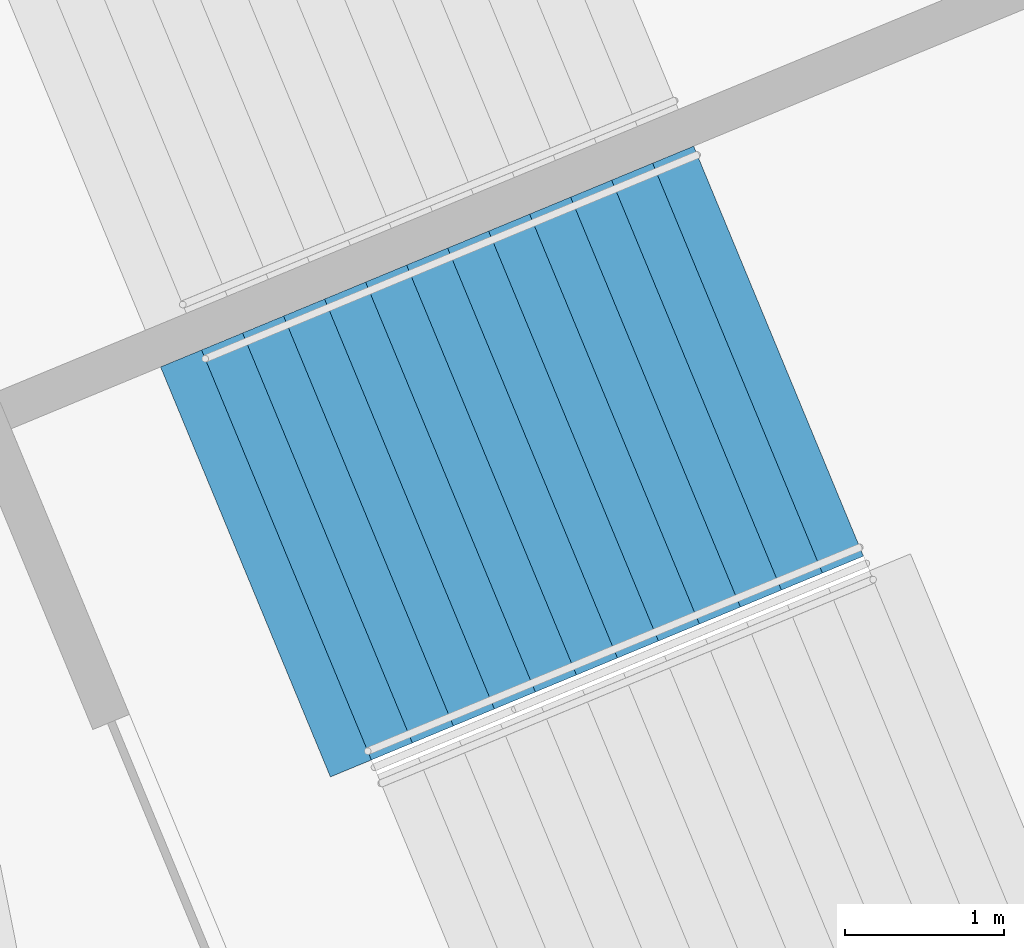
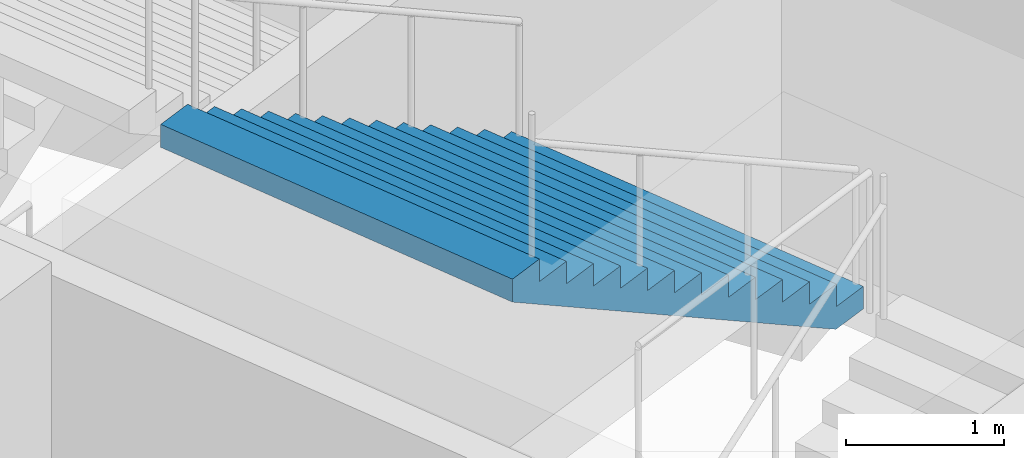
# One storey, part 175 of 199: 1 stair flight, 1 element without a shape of its own.
"""IFC4 building model written with IfcOpenShell, lengths in metres."""

from ifc_helpers import new_model, si_unit, direction, frame, origin, place, context, subcontext, project, spatial, faceted_brep, material, type_object, element, aggregate, save


model = new_model("IFC4")

# Units and contexts
model_context = context("Model", 3, precision=1e-05, world=origin(), true_north=direction((0.0, 1.0)))
body_context = subcontext(model_context, "Body", "Model", "MODEL_VIEW")
ifc_project = project(units=[si_unit("LENGTHUNIT", "METRE"), si_unit("AREAUNIT", "SQUARE_METRE"), si_unit("VOLUMEUNIT", "CUBIC_METRE"), si_unit("PLANEANGLEUNIT", "RADIAN"), si_unit("MASSUNIT", "GRAM", prefix="KILO")], contexts=[model_context])

# Site, building, storey
site_placement = place(None, origin())
site = spatial("IfcSite", under=ifc_project, at=site_placement, CompositionType="ELEMENT")
building_placement = place(site_placement, origin())
building = spatial("IfcBuilding", under=site, at=building_placement, Name="Ogive Plaza Stadium", CompositionType="ELEMENT")
storey_placement = place(building_placement, frame((0.0, 0.0, 9.0)))
storey = spatial("IfcBuildingStorey", under=building, at=storey_placement, Name="L02", CompositionType="ELEMENT", Elevation=9.0)

# Stair, stair flight
ifc_material_1 = material(Name="Concrete C40/50", Category="concrete")
stair_type = type_object("IfcStairType", Name="Exit stair", PredefinedType="STRAIGHT_RUN_STAIR", material=ifc_material_1)
stair_placement = place(storey_placement, origin())
stair = element("IfcStair", 1, at=stair_placement, inside=storey, type_object=stair_type, Name="Exit stair ST40A L02 to L03", PredefinedType="STRAIGHT_RUN_STAIR")
ifc_material_2 = material(Name="Concrete C40/50", Category="concrete")
stair_flight_type = type_object("IfcStairFlightType", Name="Exit stair flight", PredefinedType="STRAIGHT", material=ifc_material_2)
stair_flight_placement = place(storey_placement, frame((76.814208984375, 68.58349609375, 2.25), z_axis=(0.0, 0.0, 1.0), x_axis=(-0.923879532511, -0.382683432365, 0.0)))
stair_flight = element("IfcStairFlight", 2, at=stair_flight_placement, type_object=stair_flight_type, Name="ST40A flight 2", NumberOfRisers=13, NumberOfTreads=12, PredefinedType="STRAIGHT", RiserHeight=0.173076923, TreadLength=0.28, context=body_context, shape_type="Brep", body=[
    faceted_brep([(0.28515625, -1.39990234375, 0.0), (3.639892578125, -1.39990234375, 2.07373046875), (3.639892578125, -1.39990234375, 2.25), (3.360107421875, -1.39990234375, 2.25), (3.360107421875, -1.39990234375, 2.076904296875), (3.080078125, -1.39990234375, 2.076904296875), (3.080078125, -1.39990234375, 1.90380859375), (2.800048828125, -1.39990234375, 1.90380859375), (2.800048828125, -1.39990234375, 1.730712890625), (2.52001953125, -1.39990234375, 1.730712890625), (2.52001953125, -1.39990234375, 1.5576171875), (2.239990234375, -1.39990234375, 1.5576171875), (2.239990234375, -1.39990234375, 1.384521484375), (1.9599609375, -1.39990234375, 1.384521484375), (1.9599609375, -1.39990234375, 1.21142578125), (1.679931640625, -1.39990234375, 1.21142578125), (1.679931640625, -1.39990234375, 1.03857421875), (1.39990234375, -1.39990234375, 1.03857421875), (1.39990234375, -1.39990234375, 0.865478515625), (1.1201171875, -1.39990234375, 0.865478515625), (1.1201171875, -1.39990234375, 0.6923828125), (0.840087890625, -1.39990234375, 0.6923828125), (0.840087890625, -1.39990234375, 0.519287109375), (0.56005859375, -1.39990234375, 0.519287109375), (0.56005859375, -1.39990234375, 0.34619140625), (0.280029296875, -1.39990234375, 0.34619140625), (0.280029296875, -1.39990234375, 0.173095703125), (0.0, -1.39990234375, 0.173095703125), (0.0, -1.39990234375, 0.0), (0.0, 1.39990234375, 0.0), (0.0, 1.39990234375, 0.173095703125), (0.280029296875, 1.39990234375, 0.173095703125), (0.280029296875, 1.39990234375, 0.34619140625), (0.56005859375, 1.39990234375, 0.34619140625), (0.56005859375, 1.39990234375, 0.519287109375), (0.840087890625, 1.39990234375, 0.519287109375), (0.840087890625, 1.39990234375, 0.6923828125), (1.1201171875, 1.39990234375, 0.6923828125), (1.1201171875, 1.39990234375, 0.865478515625), (1.39990234375, 1.39990234375, 0.865478515625), (1.39990234375, 1.39990234375, 1.03857421875), (1.679931640625, 1.39990234375, 1.03857421875), (1.679931640625, 1.39990234375, 1.21142578125), (1.9599609375, 1.39990234375, 1.21142578125), (1.9599609375, 1.39990234375, 1.384521484375), (2.239990234375, 1.39990234375, 1.384521484375), (2.239990234375, 1.39990234375, 1.5576171875), (2.52001953125, 1.39990234375, 1.5576171875), (2.52001953125, 1.39990234375, 1.730712890625), (2.800048828125, 1.39990234375, 1.730712890625), (2.800048828125, 1.39990234375, 1.90380859375), (3.080078125, 1.39990234375, 1.90380859375), (3.080078125, 1.39990234375, 2.076904296875), (3.360107421875, 1.39990234375, 2.076904296875), (3.360107421875, 1.39990234375, 2.25), (3.639892578125, 1.39990234375, 2.25), (3.639892578125, 1.39990234375, 2.07373046875), (0.28515625, 1.39990234375, 0.0), (0.28515625, -1.0888671875, 0.0), (3.639892578125, -1.0888671875, 2.07373046875), (0.28515625, -0.77783203125, 0.0), (3.639892578125, -0.77783203125, 2.07373046875), (0.28515625, -0.466796875, 0.0), (3.639892578125, -0.466796875, 2.07373046875), (0.28515625, -0.155517578125, 0.0), (3.639892578125, -0.155517578125, 2.07373046875), (0.28515625, 0.155517578125, 0.0), (3.639892578125, 0.155517578125, 2.07373046875), (0.28515625, 0.466796875, 0.0), (3.639892578125, 0.466796875, 2.07373046875), (0.28515625, 0.77783203125, 0.0), (3.639892578125, 0.77783203125, 2.07373046875), (0.28515625, 1.0888671875, 0.0), (3.639892578125, 1.0888671875, 2.07373046875), (3.639892578125, -1.0888671875, 2.25), (3.639892578125, -0.77783203125, 2.25), (3.639892578125, -0.466796875, 2.25), (3.639892578125, -0.155517578125, 2.25), (3.639892578125, 0.155517578125, 2.25), (3.639892578125, 0.466796875, 2.25), (3.639892578125, 0.77783203125, 2.25), (3.639892578125, 1.0888671875, 2.25), (3.360107421875, -1.0888671875, 2.25), (3.360107421875, -0.77783203125, 2.25), (3.360107421875, -0.466796875, 2.25), (3.360107421875, -0.155517578125, 2.25), (3.360107421875, 0.155517578125, 2.25), (3.360107421875, 0.466796875, 2.25), (3.360107421875, 0.77783203125, 2.25), (3.360107421875, 1.0888671875, 2.25), (3.360107421875, -1.0888671875, 2.076904296875), (3.360107421875, -0.77783203125, 2.076904296875), (3.360107421875, -0.466796875, 2.076904296875), (3.360107421875, -0.155517578125, 2.076904296875), (3.360107421875, 0.155517578125, 2.076904296875), (3.360107421875, 0.466796875, 2.076904296875), (3.360107421875, 0.77783203125, 2.076904296875), (3.360107421875, 1.0888671875, 2.076904296875), (3.080078125, -1.0888671875, 2.076904296875), (3.080078125, -0.77783203125, 2.076904296875), (3.080078125, -0.466796875, 2.076904296875), (3.080078125, -0.155517578125, 2.076904296875), (3.080078125, 0.155517578125, 2.076904296875), (3.080078125, 0.466796875, 2.076904296875), (3.080078125, 0.77783203125, 2.076904296875), (3.080078125, 1.0888671875, 2.076904296875), (3.080078125, -1.0888671875, 1.90380859375), (3.080078125, -0.77783203125, 1.90380859375), (3.080078125, -0.466796875, 1.90380859375), (3.080078125, -0.155517578125, 1.90380859375), (3.080078125, 0.155517578125, 1.90380859375), (3.080078125, 0.466796875, 1.90380859375), (3.080078125, 0.77783203125, 1.90380859375), (3.080078125, 1.0888671875, 1.90380859375), (2.800048828125, -1.0888671875, 1.90380859375), (2.800048828125, -0.77783203125, 1.90380859375), (2.800048828125, -0.466796875, 1.90380859375), (2.800048828125, -0.155517578125, 1.90380859375), (2.800048828125, 0.155517578125, 1.90380859375), (2.800048828125, 0.466796875, 1.90380859375), (2.800048828125, 0.77783203125, 1.90380859375), (2.800048828125, 1.0888671875, 1.90380859375), (2.800048828125, -1.0888671875, 1.730712890625), (2.800048828125, -0.77783203125, 1.730712890625), (2.800048828125, -0.466796875, 1.730712890625), (2.800048828125, -0.155517578125, 1.730712890625), (2.800048828125, 0.155517578125, 1.730712890625), (2.800048828125, 0.466796875, 1.730712890625), (2.800048828125, 0.77783203125, 1.730712890625), (2.800048828125, 1.0888671875, 1.730712890625), (2.52001953125, -1.0888671875, 1.730712890625), (2.52001953125, -0.77783203125, 1.730712890625), (2.52001953125, -0.466796875, 1.730712890625), (2.52001953125, -0.155517578125, 1.730712890625), (2.52001953125, 0.155517578125, 1.730712890625), (2.52001953125, 0.466796875, 1.730712890625), (2.52001953125, 0.77783203125, 1.730712890625), (2.52001953125, 1.0888671875, 1.730712890625), (2.52001953125, -1.0888671875, 1.5576171875), (2.52001953125, -0.77783203125, 1.5576171875), (2.52001953125, -0.466796875, 1.5576171875), (2.52001953125, -0.155517578125, 1.5576171875), (2.52001953125, 0.155517578125, 1.5576171875), (2.52001953125, 0.466796875, 1.5576171875), (2.52001953125, 0.77783203125, 1.5576171875), (2.52001953125, 1.0888671875, 1.5576171875), (2.239990234375, -1.0888671875, 1.5576171875), (2.239990234375, -0.77783203125, 1.5576171875), (2.239990234375, -0.466796875, 1.5576171875), (2.239990234375, -0.155517578125, 1.5576171875), (2.239990234375, 0.155517578125, 1.5576171875), (2.239990234375, 0.466796875, 1.5576171875), (2.239990234375, 0.77783203125, 1.5576171875), (2.239990234375, 1.0888671875, 1.5576171875), (2.239990234375, -1.0888671875, 1.384521484375), (2.239990234375, -0.77783203125, 1.384521484375), (2.239990234375, -0.466796875, 1.384521484375), (2.239990234375, -0.155517578125, 1.384521484375), (2.239990234375, 0.155517578125, 1.384521484375), (2.239990234375, 0.466796875, 1.384521484375), (2.239990234375, 0.77783203125, 1.384521484375), (2.239990234375, 1.0888671875, 1.384521484375), (1.9599609375, -1.0888671875, 1.384521484375), (1.9599609375, -0.77783203125, 1.384521484375), (1.9599609375, -0.466796875, 1.384521484375), (1.9599609375, -0.155517578125, 1.384521484375), (1.9599609375, 0.155517578125, 1.384521484375), (1.9599609375, 0.466796875, 1.384521484375), (1.9599609375, 0.77783203125, 1.384521484375), (1.9599609375, 1.0888671875, 1.384521484375), (1.9599609375, -1.0888671875, 1.21142578125), (1.9599609375, -0.77783203125, 1.21142578125), (1.9599609375, -0.466796875, 1.21142578125), (1.9599609375, -0.155517578125, 1.21142578125), (1.9599609375, 0.155517578125, 1.21142578125), (1.9599609375, 0.466796875, 1.21142578125), (1.9599609375, 0.77783203125, 1.21142578125), (1.9599609375, 1.0888671875, 1.21142578125), (1.679931640625, -1.0888671875, 1.21142578125), (1.679931640625, -0.77783203125, 1.21142578125), (1.679931640625, -0.466796875, 1.21142578125), (1.679931640625, -0.155517578125, 1.21142578125), (1.679931640625, 0.155517578125, 1.21142578125), (1.679931640625, 0.466796875, 1.21142578125), (1.679931640625, 0.77783203125, 1.21142578125), (1.679931640625, 1.0888671875, 1.21142578125), (1.679931640625, -1.0888671875, 1.03857421875), (1.679931640625, -0.77783203125, 1.03857421875), (1.679931640625, -0.466796875, 1.03857421875), (1.679931640625, -0.155517578125, 1.03857421875), (1.679931640625, 0.155517578125, 1.03857421875), (1.679931640625, 0.466796875, 1.03857421875), (1.679931640625, 0.77783203125, 1.03857421875), (1.679931640625, 1.0888671875, 1.03857421875), (1.39990234375, -1.0888671875, 1.03857421875), (1.39990234375, -0.77783203125, 1.03857421875), (1.39990234375, -0.466796875, 1.03857421875), (1.39990234375, -0.155517578125, 1.03857421875), (1.39990234375, 0.155517578125, 1.03857421875), (1.39990234375, 0.466796875, 1.03857421875), (1.39990234375, 0.77783203125, 1.03857421875), (1.39990234375, 1.0888671875, 1.03857421875), (1.39990234375, -1.0888671875, 0.865478515625), (1.39990234375, -0.77783203125, 0.865478515625), (1.39990234375, -0.466796875, 0.865478515625), (1.39990234375, -0.155517578125, 0.865478515625), (1.39990234375, 0.155517578125, 0.865478515625), (1.39990234375, 0.466796875, 0.865478515625), (1.39990234375, 0.77783203125, 0.865478515625), (1.39990234375, 1.0888671875, 0.865478515625), (1.1201171875, -1.0888671875, 0.865478515625), (1.1201171875, -0.77783203125, 0.865478515625), (1.1201171875, -0.466796875, 0.865478515625), (1.1201171875, -0.155517578125, 0.865478515625), (1.1201171875, 0.155517578125, 0.865478515625), (1.1201171875, 0.466796875, 0.865478515625), (1.1201171875, 0.77783203125, 0.865478515625), (1.1201171875, 1.0888671875, 0.865478515625), (1.1201171875, -1.0888671875, 0.6923828125), (1.1201171875, -0.77783203125, 0.6923828125), (1.1201171875, -0.466796875, 0.6923828125), (1.1201171875, -0.155517578125, 0.6923828125), (1.1201171875, 0.155517578125, 0.6923828125), (1.1201171875, 0.466796875, 0.6923828125), (1.1201171875, 0.77783203125, 0.6923828125), (1.1201171875, 1.0888671875, 0.6923828125), (0.840087890625, -1.0888671875, 0.6923828125), (0.840087890625, -0.77783203125, 0.6923828125), (0.840087890625, -0.466796875, 0.6923828125), (0.840087890625, -0.155517578125, 0.6923828125), (0.840087890625, 0.155517578125, 0.6923828125), (0.840087890625, 0.466796875, 0.6923828125), (0.840087890625, 0.77783203125, 0.6923828125), (0.840087890625, 1.0888671875, 0.6923828125), (0.840087890625, -1.0888671875, 0.519287109375), (0.840087890625, -0.77783203125, 0.519287109375), (0.840087890625, -0.466796875, 0.519287109375), (0.840087890625, -0.155517578125, 0.519287109375), (0.840087890625, 0.155517578125, 0.519287109375), (0.840087890625, 0.466796875, 0.519287109375), (0.840087890625, 0.77783203125, 0.519287109375), (0.840087890625, 1.0888671875, 0.519287109375), (0.56005859375, -1.0888671875, 0.519287109375), (0.56005859375, -0.77783203125, 0.519287109375), (0.56005859375, -0.466796875, 0.519287109375), (0.56005859375, -0.155517578125, 0.519287109375), (0.56005859375, 0.155517578125, 0.519287109375), (0.56005859375, 0.466796875, 0.519287109375), (0.56005859375, 0.77783203125, 0.519287109375), (0.56005859375, 1.0888671875, 0.519287109375), (0.56005859375, -1.0888671875, 0.34619140625), (0.56005859375, -0.77783203125, 0.34619140625), (0.56005859375, -0.466796875, 0.34619140625), (0.56005859375, -0.155517578125, 0.34619140625), (0.56005859375, 0.155517578125, 0.34619140625), (0.56005859375, 0.466796875, 0.34619140625), (0.56005859375, 0.77783203125, 0.34619140625), (0.56005859375, 1.0888671875, 0.34619140625), (0.280029296875, -1.0888671875, 0.34619140625), (0.280029296875, -0.77783203125, 0.34619140625), (0.280029296875, -0.466796875, 0.34619140625), (0.280029296875, -0.155517578125, 0.34619140625), (0.280029296875, 0.155517578125, 0.34619140625), (0.280029296875, 0.466796875, 0.34619140625), (0.280029296875, 0.77783203125, 0.34619140625), (0.280029296875, 1.0888671875, 0.34619140625), (0.280029296875, -1.0888671875, 0.173095703125), (0.280029296875, -0.77783203125, 0.173095703125), (0.280029296875, -0.466796875, 0.173095703125), (0.280029296875, -0.155517578125, 0.173095703125), (0.280029296875, 0.155517578125, 0.173095703125), (0.280029296875, 0.466796875, 0.173095703125), (0.280029296875, 0.77783203125, 0.173095703125), (0.280029296875, 1.0888671875, 0.173095703125), (0.0, -1.0888671875, 0.173095703125), (0.0, -0.77783203125, 0.173095703125), (0.0, -0.466796875, 0.173095703125), (0.0, -0.155517578125, 0.173095703125), (0.0, 0.155517578125, 0.173095703125), (0.0, 0.466796875, 0.173095703125), (0.0, 0.77783203125, 0.173095703125), (0.0, 1.0888671875, 0.173095703125), (0.0, -1.0888671875, 0.0), (0.0, -0.77783203125, 0.0), (0.0, -0.466796875, 0.0), (0.0, -0.155517578125, 0.0), (0.0, 0.155517578125, 0.0), (0.0, 0.466796875, 0.0), (0.0, 0.77783203125, 0.0), (0.0, 1.0888671875, 0.0)], [[[0, 1, 2, 3, 4, 5, 6, 7, 8, 9, 10, 11, 12, 13, 14, 15, 16, 17, 18, 19, 20, 21, 22, 23, 24, 25, 26, 27, 28]], [[29, 30, 31, 32, 33, 34, 35, 36, 37, 38, 39, 40, 41, 42, 43, 44, 45, 46, 47, 48, 49, 50, 51, 52, 53, 54, 55, 56, 57]], [[0, 58, 59, 1]], [[58, 60, 61, 59]], [[60, 62, 63, 61]], [[62, 64, 65, 63]], [[64, 66, 67, 65]], [[66, 68, 69, 67]], [[68, 70, 71, 69]], [[70, 72, 73, 71]], [[72, 57, 56, 73]], [[1, 59, 74, 2]], [[59, 61, 75, 74]], [[61, 63, 76, 75]], [[63, 65, 77, 76]], [[65, 67, 78, 77]], [[67, 69, 79, 78]], [[69, 71, 80, 79]], [[71, 73, 81, 80]], [[73, 56, 55, 81]], [[2, 74, 82, 3]], [[74, 75, 83, 82]], [[75, 76, 84, 83]], [[76, 77, 85, 84]], [[77, 78, 86, 85]], [[78, 79, 87, 86]], [[79, 80, 88, 87]], [[80, 81, 89, 88]], [[81, 55, 54, 89]], [[3, 82, 90, 4]], [[82, 83, 91, 90]], [[83, 84, 92, 91]], [[84, 85, 93, 92]], [[85, 86, 94, 93]], [[86, 87, 95, 94]], [[87, 88, 96, 95]], [[88, 89, 97, 96]], [[89, 54, 53, 97]], [[4, 90, 98, 5]], [[90, 91, 99, 98]], [[91, 92, 100, 99]], [[92, 93, 101, 100]], [[93, 94, 102, 101]], [[94, 95, 103, 102]], [[95, 96, 104, 103]], [[96, 97, 105, 104]], [[97, 53, 52, 105]], [[5, 98, 106, 6]], [[98, 99, 107, 106]], [[99, 100, 108, 107]], [[100, 101, 109, 108]], [[101, 102, 110, 109]], [[102, 103, 111, 110]], [[103, 104, 112, 111]], [[104, 105, 113, 112]], [[105, 52, 51, 113]], [[6, 106, 114, 7]], [[106, 107, 115, 114]], [[107, 108, 116, 115]], [[108, 109, 117, 116]], [[109, 110, 118, 117]], [[110, 111, 119, 118]], [[111, 112, 120, 119]], [[112, 113, 121, 120]], [[113, 51, 50, 121]], [[7, 114, 122, 8]], [[114, 115, 123, 122]], [[115, 116, 124, 123]], [[116, 117, 125, 124]], [[117, 118, 126, 125]], [[118, 119, 127, 126]], [[119, 120, 128, 127]], [[120, 121, 129, 128]], [[121, 50, 49, 129]], [[8, 122, 130, 9]], [[122, 123, 131, 130]], [[123, 124, 132, 131]], [[124, 125, 133, 132]], [[125, 126, 134, 133]], [[126, 127, 135, 134]], [[127, 128, 136, 135]], [[128, 129, 137, 136]], [[129, 49, 48, 137]], [[9, 130, 138, 10]], [[130, 131, 139, 138]], [[131, 132, 140, 139]], [[132, 133, 141, 140]], [[133, 134, 142, 141]], [[134, 135, 143, 142]], [[135, 136, 144, 143]], [[136, 137, 145, 144]], [[137, 48, 47, 145]], [[10, 138, 146, 11]], [[138, 139, 147, 146]], [[139, 140, 148, 147]], [[140, 141, 149, 148]], [[141, 142, 150, 149]], [[142, 143, 151, 150]], [[143, 144, 152, 151]], [[144, 145, 153, 152]], [[145, 47, 46, 153]], [[11, 146, 154, 12]], [[146, 147, 155, 154]], [[147, 148, 156, 155]], [[148, 149, 157, 156]], [[149, 150, 158, 157]], [[150, 151, 159, 158]], [[151, 152, 160, 159]], [[152, 153, 161, 160]], [[153, 46, 45, 161]], [[12, 154, 162, 13]], [[154, 155, 163, 162]], [[155, 156, 164, 163]], [[156, 157, 165, 164]], [[157, 158, 166, 165]], [[158, 159, 167, 166]], [[159, 160, 168, 167]], [[160, 161, 169, 168]], [[161, 45, 44, 169]], [[13, 162, 170, 14]], [[162, 163, 171, 170]], [[163, 164, 172, 171]], [[164, 165, 173, 172]], [[165, 166, 174, 173]], [[166, 167, 175, 174]], [[167, 168, 176, 175]], [[168, 169, 177, 176]], [[169, 44, 43, 177]], [[14, 170, 178, 15]], [[170, 171, 179, 178]], [[171, 172, 180, 179]], [[172, 173, 181, 180]], [[173, 174, 182, 181]], [[174, 175, 183, 182]], [[175, 176, 184, 183]], [[176, 177, 185, 184]], [[177, 43, 42, 185]], [[15, 178, 186, 16]], [[178, 179, 187, 186]], [[179, 180, 188, 187]], [[180, 181, 189, 188]], [[181, 182, 190, 189]], [[182, 183, 191, 190]], [[183, 184, 192, 191]], [[184, 185, 193, 192]], [[185, 42, 41, 193]], [[16, 186, 194, 17]], [[186, 187, 195, 194]], [[187, 188, 196, 195]], [[188, 189, 197, 196]], [[189, 190, 198, 197]], [[190, 191, 199, 198]], [[191, 192, 200, 199]], [[192, 193, 201, 200]], [[193, 41, 40, 201]], [[17, 194, 202, 18]], [[194, 195, 203, 202]], [[195, 196, 204, 203]], [[196, 197, 205, 204]], [[197, 198, 206, 205]], [[198, 199, 207, 206]], [[199, 200, 208, 207]], [[200, 201, 209, 208]], [[201, 40, 39, 209]], [[18, 202, 210, 19]], [[202, 203, 211, 210]], [[203, 204, 212, 211]], [[204, 205, 213, 212]], [[205, 206, 214, 213]], [[206, 207, 215, 214]], [[207, 208, 216, 215]], [[208, 209, 217, 216]], [[209, 39, 38, 217]], [[19, 210, 218, 20]], [[210, 211, 219, 218]], [[211, 212, 220, 219]], [[212, 213, 221, 220]], [[213, 214, 222, 221]], [[214, 215, 223, 222]], [[215, 216, 224, 223]], [[216, 217, 225, 224]], [[217, 38, 37, 225]], [[20, 218, 226, 21]], [[218, 219, 227, 226]], [[219, 220, 228, 227]], [[220, 221, 229, 228]], [[221, 222, 230, 229]], [[222, 223, 231, 230]], [[223, 224, 232, 231]], [[224, 225, 233, 232]], [[225, 37, 36, 233]], [[21, 226, 234, 22]], [[226, 227, 235, 234]], [[227, 228, 236, 235]], [[228, 229, 237, 236]], [[229, 230, 238, 237]], [[230, 231, 239, 238]], [[231, 232, 240, 239]], [[232, 233, 241, 240]], [[233, 36, 35, 241]], [[22, 234, 242, 23]], [[234, 235, 243, 242]], [[235, 236, 244, 243]], [[236, 237, 245, 244]], [[237, 238, 246, 245]], [[238, 239, 247, 246]], [[239, 240, 248, 247]], [[240, 241, 249, 248]], [[241, 35, 34, 249]], [[23, 242, 250, 24]], [[242, 243, 251, 250]], [[243, 244, 252, 251]], [[244, 245, 253, 252]], [[245, 246, 254, 253]], [[246, 247, 255, 254]], [[247, 248, 256, 255]], [[248, 249, 257, 256]], [[249, 34, 33, 257]], [[24, 250, 258, 25]], [[250, 251, 259, 258]], [[251, 252, 260, 259]], [[252, 253, 261, 260]], [[253, 254, 262, 261]], [[254, 255, 263, 262]], [[255, 256, 264, 263]], [[256, 257, 265, 264]], [[257, 33, 32, 265]], [[25, 258, 266, 26]], [[258, 259, 267, 266]], [[259, 260, 268, 267]], [[260, 261, 269, 268]], [[261, 262, 270, 269]], [[262, 263, 271, 270]], [[263, 264, 272, 271]], [[264, 265, 273, 272]], [[265, 32, 31, 273]], [[26, 266, 274, 27]], [[266, 267, 275, 274]], [[267, 268, 276, 275]], [[268, 269, 277, 276]], [[269, 270, 278, 277]], [[270, 271, 279, 278]], [[271, 272, 280, 279]], [[272, 273, 281, 280]], [[273, 31, 30, 281]], [[27, 274, 282, 28]], [[274, 275, 283, 282]], [[275, 276, 284, 283]], [[276, 277, 285, 284]], [[277, 278, 286, 285]], [[278, 279, 287, 286]], [[279, 280, 288, 287]], [[280, 281, 289, 288]], [[281, 30, 29, 289]], [[28, 282, 58, 0]], [[282, 283, 60, 58]], [[283, 284, 62, 60]], [[284, 285, 64, 62]], [[285, 286, 66, 64]], [[286, 287, 68, 66]], [[287, 288, 70, 68]], [[288, 289, 72, 70]], [[289, 29, 57, 72]]]),
])
aggregate(stair, [stair_flight])

save(model, "model.ifc")
